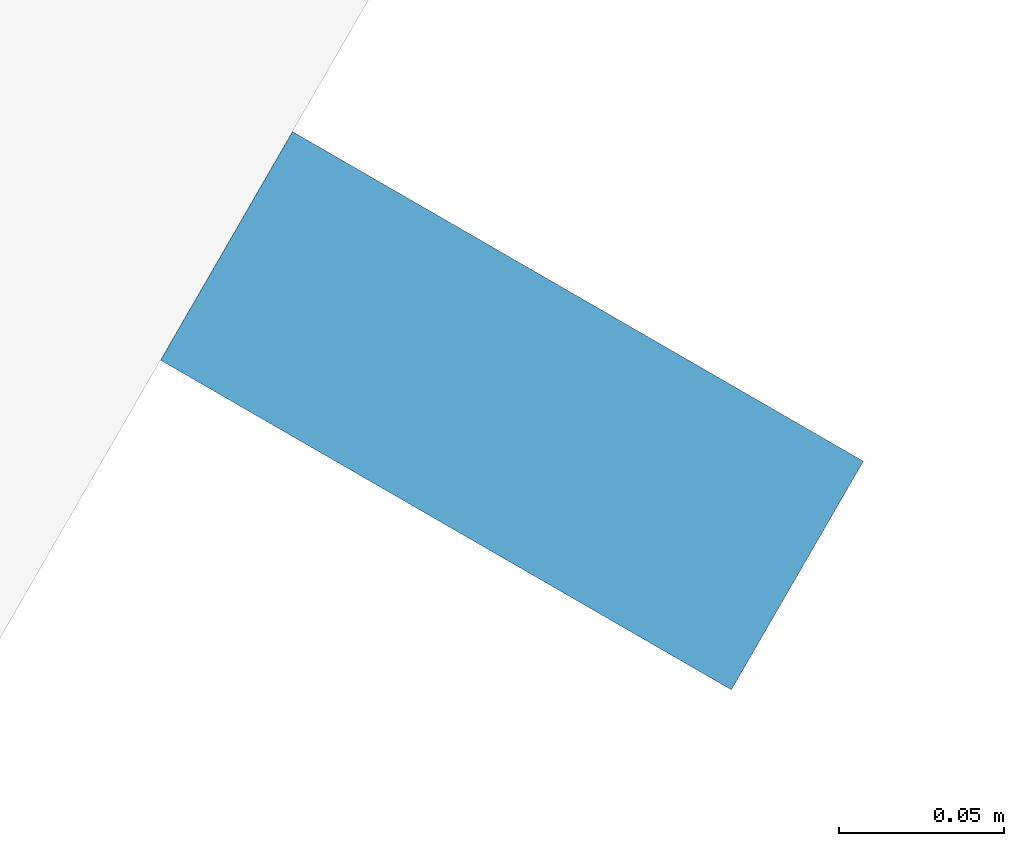
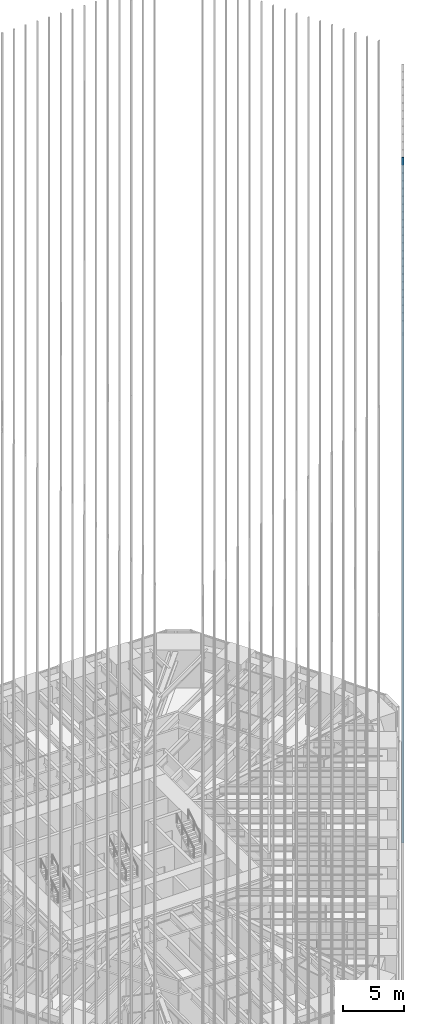
# One storey, part 117 of 256: 1 member, 1 element without a shape of its own.
"""IFC4 building model written with IfcOpenShell, lengths in metres."""

from ifc_helpers import new_model, si_unit, direction, frame, origin, origin_2d, place, context, subcontext, project, spatial, rectangle, extrude, material, material_profile, profile_set, type_object, element, aggregate, save


model = new_model("IFC4")

# Units and contexts
model_context = context("Model", 3, precision=1e-05, world=origin(), true_north=direction((0.0, 1.0)))
body_context = subcontext(model_context, "Body", "Model", "MODEL_VIEW")
ifc_project = project(units=[si_unit("LENGTHUNIT", "METRE"), si_unit("AREAUNIT", "SQUARE_METRE"), si_unit("VOLUMEUNIT", "CUBIC_METRE"), si_unit("PLANEANGLEUNIT", "RADIAN"), si_unit("MASSUNIT", "GRAM", prefix="KILO")], contexts=[model_context])

# Site, building, storey
site_placement = place(None, origin())
site = spatial("IfcSite", under=ifc_project, at=site_placement, CompositionType="ELEMENT")
building_placement = place(site_placement, origin())
building = spatial("IfcBuilding", under=site, at=building_placement, Name="Sandreach Pilgrim Tower", CompositionType="ELEMENT")
storey_placement = place(building_placement, frame((0.0, 0.0, 23.0)))
storey = spatial("IfcBuildingStorey", under=building, at=storey_placement, Name="L04", CompositionType="ELEMENT", Elevation=23.0)

# Curtain wall, member
ifc_material_1 = material(Name="Aluminium framed curtain wall", Category="aluminium")
curtain_wall_type = type_object("IfcCurtainWallType", Name="Hostel tower curtain wall", PredefinedType="NOTDEFINED", material=ifc_material_1)
curtain_wall_placement = place(storey_placement, origin())
curtain_wall = element("IfcCurtainWall", 1, at=curtain_wall_placement, inside=storey, type_object=curtain_wall_type, Name="CW-1 L04 SE", PredefinedType="NOTDEFINED")
ifc_material_2 = material(Name="Extruded terracotta on aluminium core", Category="masonry")
ifc_material_profile = material_profile(ifc_material_2, rectangle(XDim=0.080078125, YDim=0.199951171875, at=origin_2d()), Name="TBE 80X200")
ifc_profile_set = profile_set([ifc_material_profile], Name="Extruded terracotta on aluminium core")
member_type = type_object("IfcMemberType", Name="Terracotta baguette east", PredefinedType="USERDEFINED", material=ifc_profile_set)
member_placement = place(storey_placement, frame((23.850830078125, -7.386474609375, 0.0), z_axis=(0.0, 0.0, 1.0), x_axis=(-0.5, -0.866025403784, 0.0)))
member = element("IfcMember", 2, at=member_placement, type_object=member_type, Name="Baguette Z1 SE13", ObjectType="BAGUETTE", PredefinedType="USERDEFINED", context=body_context, shape_type="SweptSolid", body=[
    extrude(rectangle(XDim=0.080078125, YDim=0.199951171875, at=origin_2d()), origin(), (0.0, 0.0, 1.0), 68.239990234375),
])
aggregate(curtain_wall, [member])

save(model, "model.ifc")
